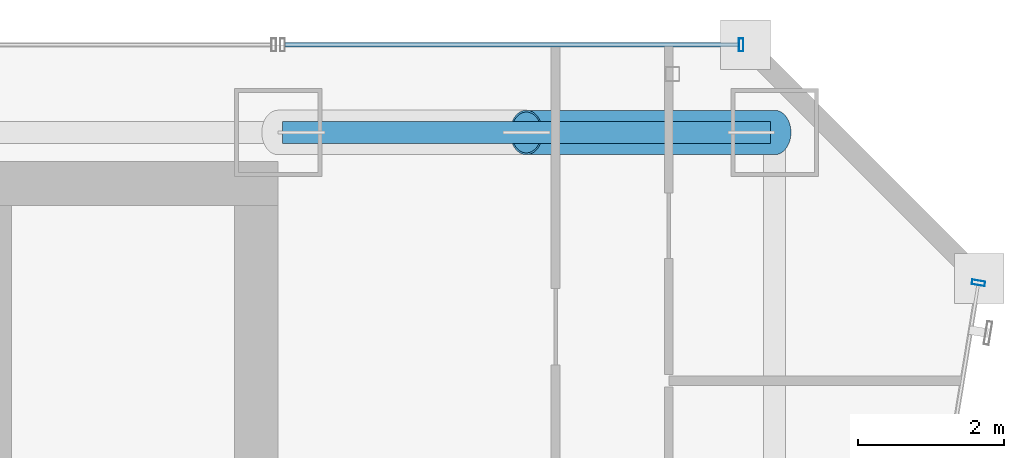
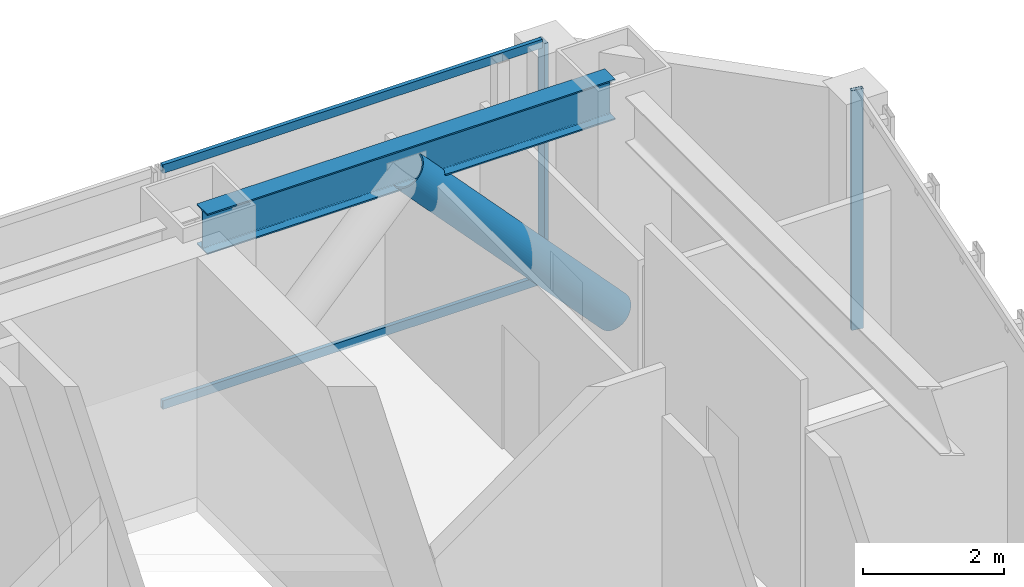
# One storey, part 33 of 47: 5 members, 1 beam, 2 elements without a shape of their own.
"""IFC4 building model written with IfcOpenShell, lengths in metres."""

from ifc_helpers import new_model, si_unit, direction, frame, origin, origin_2d, place, context, subcontext, project, spatial, hollow_rectangle, hollow_circle, i_section, extrude, material, material_profile, profile_set, type_object, element, aggregate, save


model = new_model("IFC4")

# Units and contexts
model_context = context("Model", 3, precision=1e-05, world=origin(), true_north=direction((0.0, 1.0)))
body_context = subcontext(model_context, "Body", "Model", "MODEL_VIEW")
ifc_project = project(units=[si_unit("LENGTHUNIT", "METRE"), si_unit("AREAUNIT", "SQUARE_METRE"), si_unit("VOLUMEUNIT", "CUBIC_METRE"), si_unit("PLANEANGLEUNIT", "RADIAN"), si_unit("MASSUNIT", "GRAM", prefix="KILO")], contexts=[model_context])

# Site, building, storey
site_placement = place(None, origin())
site = spatial("IfcSite", under=ifc_project, at=site_placement, CompositionType="ELEMENT")
building_placement = place(site_placement, origin())
building = spatial("IfcBuilding", under=site, at=building_placement, Name="Saevonmaru Cultural Tower", CompositionType="ELEMENT")
storey_placement = place(building_placement, frame((0.0, 0.0, 51.60009765625)))
storey = spatial("IfcBuildingStorey", under=building, at=storey_placement, Name="L10", CompositionType="ELEMENT", Elevation=51.60009765625)

# Beam
ifc_material_1 = material(Name="Steel SM355", Category="steel")
ifc_material_profile_1 = material_profile(ifc_material_1, i_section(OverallWidth=0.300048828125, OverallDepth=0.699951171875, WebThickness=0.012939453125, FlangeThickness=0.02392578125, FilletRadius=0.02587890625, at=origin_2d()), Name="H-700x300x13x24")
ifc_profile_set_1 = profile_set([ifc_material_profile_1], Name="Steel SM355")
beam_type = type_object("IfcBeamType", Name="BM-SP-H700", PredefinedType="SPANDREL", material=ifc_profile_set_1)
beam_placement = place(storey_placement, frame((46.4599609375, 54.800048828125, 3.7998046875), z_axis=(1.0, 0.0, 0.0), x_axis=(0.0, 1.0, 0.0)))
element("IfcBeam", 1, at=beam_placement, inside=storey, type_object=beam_type, Name="L10 North Spine Girder 5", PredefinedType="SPANDREL", context=body_context, shape_type="SweptSolid", body=[
    extrude(i_section(OverallWidth=0.300048828125, OverallDepth=0.699951171875, WebThickness=0.012939453125, FlangeThickness=0.02392578125, FilletRadius=0.02587890625, at=origin_2d()), origin(), (0.0, 0.0, 1.0), 6.679931640625),
])

# Member
ifc_material_2 = material(Name="Steel HSA600 (600 MPa)", Category="steel")
ifc_material_profile_2 = material_profile(ifc_material_2, hollow_circle(Radius=0.3046875, WallThickness=0.02490234375, at=origin_2d()), Name="CHS-609.6x25")
ifc_profile_set_2 = profile_set([ifc_material_profile_2], Name="Steel HSA600 (600 MPa)")
member_type_1 = type_object("IfcMemberType", Name="MB-PBR-CHS610", PredefinedType="BRACE", material=ifc_profile_set_2)
member_1_placement = place(storey_placement, frame((53.199951171875, 54.800048828125, 0.02001953125), z_axis=(-0.681602937137, 0.0, 0.73172223971), x_axis=(0.0, -1.0, 0.0)))
element("IfcMember", 2, at=member_1_placement, inside=storey, type_object=member_type_1, Name="L10 Perimeter Braced-Tube Diagonal EN2", PredefinedType="BRACE", context=body_context, shape_type="SweptSolid", body=[
    extrude(hollow_circle(Radius=0.3046875, WallThickness=0.02490234375, at=origin_2d()), origin(), (0.0, 0.0, 1.0), 4.988037109375),
])

# Curtain wall, member
ifc_material_3 = material(Name="Satin Bronze Anodised Aluminium", Category="aluminium")
curtain_wall_type = type_object("IfcCurtainWallType", Name="CW-TYP-A", PredefinedType="NOTDEFINED", material=ifc_material_3)
curtain_wall_1_placement = place(storey_placement, origin())
curtain_wall_1 = element("IfcCurtainWall", 3, at=curtain_wall_1_placement, inside=storey, type_object=curtain_wall_type, Name="L10 Unitised Curtain Wall E8", PredefinedType="NOTDEFINED")
ifc_material_profile_3 = material_profile(ifc_material_3, hollow_rectangle(XDim=0.06494140625, YDim=0.179931640625, WallThickness=0.00390625, at=origin_2d()), Name="ALU-MULL-180x65x4")
ifc_profile_set_3 = profile_set([ifc_material_profile_3], Name="Satin Bronze Anodised Aluminium")
member_type_2 = type_object("IfcMemberType", Name="ML-CW-180x65", PredefinedType="MULLION", material=ifc_profile_set_3)
member_2_placement = place(storey_placement, frame((55.990234375, 52.74072265625, 0.0), z_axis=(0.0, 0.0, 1.0), x_axis=(0.161708868641, 0.986838508472, 0.0)))
member_2 = element("IfcMember", 4, at=member_2_placement, type_object=member_type_2, Name="CW-TW-L10-E8 mullion 5", PredefinedType="MULLION", context=body_context, shape_type="SweptSolid", body=[
    extrude(hollow_rectangle(XDim=0.06494140625, YDim=0.179931640625, WallThickness=0.00390625, at=origin_2d()), origin(), (0.0, 0.0, 1.0), 4.14990234375),
])
aggregate(curtain_wall_1, [member_2])

# Curtain wall, members
curtain_wall_2_placement = place(storey_placement, origin())
curtain_wall_2 = element("IfcCurtainWall", 5, at=curtain_wall_2_placement, inside=storey, type_object=curtain_wall_type, Name="L10 East Braced Bay Spandrel Curtain Wall E10A", PredefinedType="NOTDEFINED")
member_3_placement = place(storey_placement, frame((52.739990234375, 56.0, 0.0), z_axis=(0.0, 0.0, 1.0), x_axis=(-1.0, 0.0, 0.0)))
member_3 = element("IfcMember", 6, at=member_3_placement, type_object=member_type_2, Name="CW-TW-L10-E10A mullion 1", PredefinedType="MULLION", context=body_context, shape_type="SweptSolid", body=[
    extrude(hollow_rectangle(XDim=0.06494140625, YDim=0.179931640625, WallThickness=0.00390625, at=origin_2d()), origin(), (0.0, 0.0, 1.0), 4.14990234375),
])
ifc_material_profile_4 = material_profile(ifc_material_3, hollow_rectangle(XDim=0.06494140625, YDim=0.14990234375, WallThickness=0.00390625, at=origin_2d()), Name="ALU-TRAN-150x65x4")
ifc_profile_set_4 = profile_set([ifc_material_profile_4], Name="Satin Bronze Anodised Aluminium")
member_type_3 = type_object("IfcMemberType", Name="TR-CW-150x65", PredefinedType="USERDEFINED", material=ifc_profile_set_4)
member_4_placement = place(storey_placement, frame((52.70751953125, 56.0, 0.032470703125), z_axis=(-1.0, 0.0, 0.0), x_axis=(0.0, -1.0, 0.0)))
member_4 = element("IfcMember", 7, at=member_4_placement, type_object=member_type_3, Name="CW-TW-L10-E10A transom 1.1", ObjectType="TRANSOM", PredefinedType="USERDEFINED", context=body_context, shape_type="SweptSolid", body=[
    extrude(hollow_rectangle(XDim=0.06494140625, YDim=0.14990234375, WallThickness=0.00390625, at=origin_2d()), origin(), (0.0, 0.0, 1.0), 6.215087890625),
])
member_5_placement = place(storey_placement, frame((52.70751953125, 56.0, 4.117431640625), z_axis=(-1.0, 0.0, 0.0), x_axis=(0.0, -1.0, 0.0)))
member_5 = element("IfcMember", 8, at=member_5_placement, type_object=member_type_3, Name="CW-TW-L10-E10A transom 1.2", ObjectType="TRANSOM", PredefinedType="USERDEFINED", context=body_context, shape_type="SweptSolid", body=[
    extrude(hollow_rectangle(XDim=0.06494140625, YDim=0.14990234375, WallThickness=0.00390625, at=origin_2d()), origin(), (0.0, 0.0, 1.0), 6.215087890625),
])
aggregate(curtain_wall_2, [member_3, member_4, member_5])

save(model, "model.ifc")
